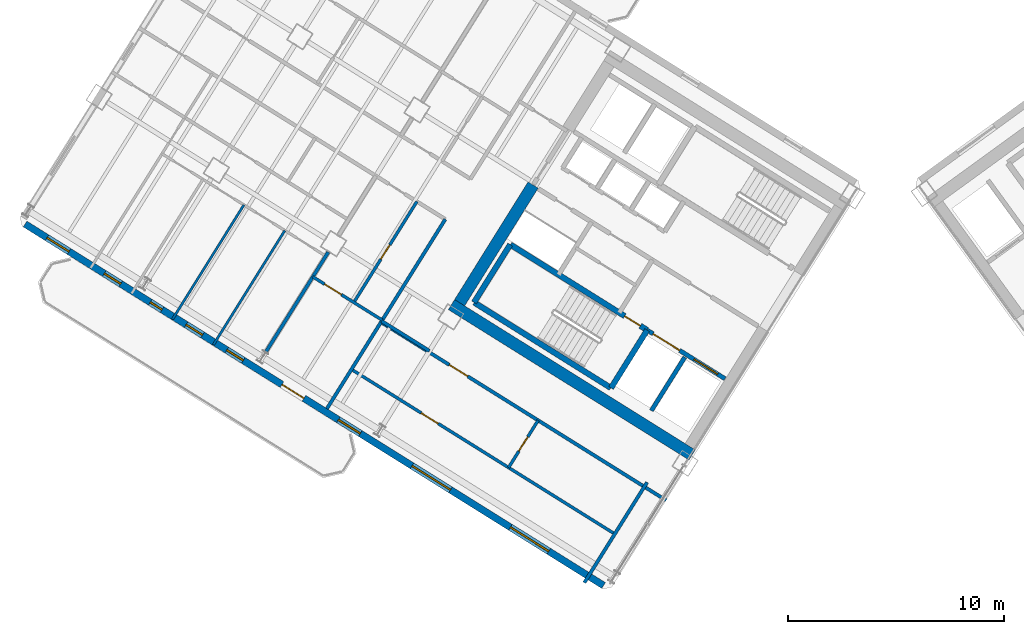
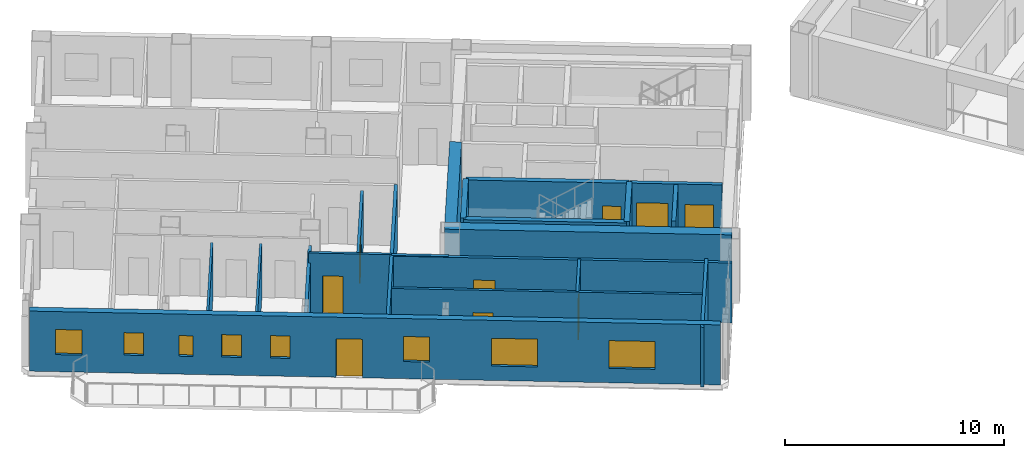
# One storey, part 10 of 18: 20 walls, 9 doors, 8 windows, 17 openings.
"""IFC4 building model written with IfcOpenShell, lengths in metres."""

from ifc_helpers import new_model, si_unit, direction, frame, frame_2d, origin, place, context, subcontext, project, spatial, rectangle, extrude, source, transform, mapped, material, layer, layer_set, type_object, element, fill, save


model = new_model("IFC4")

# Units and contexts
model_context = context("Model", 3, precision=1e-05, world=origin(), true_north=direction((0.0, 1.0)))
body_context = subcontext(model_context, "Body", "Model", "MODEL_VIEW")
ifc_project = project(units=[si_unit("LENGTHUNIT", "METRE"), si_unit("AREAUNIT", "SQUARE_METRE"), si_unit("VOLUMEUNIT", "CUBIC_METRE"), si_unit("PLANEANGLEUNIT", "RADIAN"), si_unit("MASSUNIT", "GRAM", prefix="KILO")], contexts=[model_context])

# Site, building, storey
site_placement = place(None, origin())
site = spatial("IfcSite", under=ifc_project, at=site_placement, CompositionType="ELEMENT")
building_placement = place(site_placement, origin())
building = spatial("IfcBuilding", under=site, at=building_placement, Name="Tlacorven Tower", CompositionType="ELEMENT")
storey_placement = place(building_placement, frame((0.0, 0.0, 140.699951171875)))
storey = spatial("IfcBuildingStorey", under=building, at=storey_placement, Name="L35", CompositionType="ELEMENT", Elevation=140.699951171875)

# Walls
ifc_material_1 = material(Name="Concrete C60/75", Category="concrete")
ifc_layer_1 = layer(ifc_material_1, 0.550048828125)
ifc_layer_set_1 = layer_set([ifc_layer_1], Name="Concrete C60/75")
wall_type_1 = type_object("IfcWallType", Name="WL-COR-550", PredefinedType="SHEAR", material=ifc_layer_set_1)
wall_1_placement = place(storey_placement, frame((33.3662109375, 12.4765625, 0.0), z_axis=(0.0, 0.0, 1.0), x_axis=(-0.848047359947, 0.529920442413, 0.0)))
element("IfcWall", 1, at=wall_1_placement, inside=storey, type_object=wall_type_1, Name="L35 W core shear wall S2", PredefinedType="SHEAR", context=body_context, shape_type="SweptSolid", body=[
    extrude(rectangle(XDim=13.139892578125, YDim=0.550048828125, at=frame_2d((6.56982421875, 0.0))), origin(), (0.0, 0.0, 1.0), 3.35009765625),
])
wall_2_placement = place(storey_placement, frame((26.006591796875, 24.975830078125, 0.0), z_axis=(0.0, 0.0, 1.0), x_axis=(-0.529923795287, -0.848045264823, 0.0)))
element("IfcWall", 2, at=wall_2_placement, inside=storey, type_object=wall_type_1, Name="L35 W core end wall E2.2", PredefinedType="SHEAR", context=body_context, shape_type="SweptSolid", body=[
    extrude(rectangle(XDim=6.425048828125, YDim=0.550048828125, at=frame_2d((3.21240234375, 0.0))), origin(), (0.0, 0.0, 1.0), 3.35009765625),
])
ifc_material_2 = material(Name="Gypsum plasterboard acoustic partition", Category="gypsum")
ifc_layer_2 = layer(ifc_material_2, 0.159912109375)
ifc_layer_set_2 = layer_set([ifc_layer_2], Name="Gypsum plasterboard acoustic partition")
wall_type_2 = type_object("IfcWallType", Name="WL-DEM-160", PredefinedType="PARTITIONING", material=ifc_layer_set_2)
wall_3_placement = place(storey_placement, frame((21.20556640625, 17.29248046875, 0.0), z_axis=(0.0, 0.0, 1.0), x_axis=(-0.848050851465, 0.529914854792, 0.0)))
element("IfcWall", 3, at=wall_3_placement, inside=storey, type_object=wall_type_2, Name="L35 partition 47", PredefinedType="PARTITIONING", context=body_context, shape_type="SweptSolid", body=[
    extrude(rectangle(XDim=2.60986328125, YDim=0.159912109375, at=frame_2d((1.304931640625, 0.0))), origin(), (0.0, 0.0, 1.0), 3.340087890625),
])
wall_4_placement = place(storey_placement, frame((21.9384765625, 23.390625, 0.0), z_axis=(0.0, 0.0, 1.0), x_axis=(-0.529924725692, -0.848044683434, 0.0)))
element("IfcWall", 4, at=wall_4_placement, inside=storey, type_object=wall_type_2, Name="L35 partition 49", PredefinedType="PARTITIONING", context=body_context, shape_type="SweptSolid", body=[
    extrude(rectangle(XDim=10.349853515625, YDim=0.159912109375, at=frame_2d((5.1748046875, 0.0))), origin(), (0.0, 0.0, 1.0), 3.340087890625),
])
wall_5_placement = place(storey_placement, frame((16.518798828125, 21.86962890625, 0.0), z_axis=(0.0, 0.0, 1.0), x_axis=(-0.529922447305, -0.848046107144, 0.0)))
element("IfcWall", 5, at=wall_5_placement, inside=storey, type_object=wall_type_2, Name="L35 WN Demising Wall 1", PredefinedType="PARTITIONING", context=body_context, shape_type="SweptSolid", body=[
    extrude(rectangle(XDim=5.451171875, YDim=0.159912109375, at=frame_2d((2.7255859375, 0.0))), origin(), (0.0, 0.0, 1.0), 2.775146484375),
])

# Wall, opening, door
wall_6_placement = place(storey_placement, frame((32.164306640625, 10.373779296875, 0.0), z_axis=(0.0, 0.0, 1.0), x_axis=(-0.848044107957, 0.529925646633, 0.0)))
wall_6 = element("IfcWall", 6, at=wall_6_placement, inside=storey, type_object=wall_type_2, Name="L35 partition 71", PredefinedType="PARTITIONING", context=body_context, shape_type="SweptSolid", body=[
    extrude(rectangle(XDim=15.570068359375, YDim=0.159912109375, at=frame_2d((7.78515625, 0.0))), origin(), (0.0, 0.0, 1.0), 3.340087890625),
])
opening_1_placement = place(wall_6_placement, frame((10.830078125, 0.0, 0.0)))
opening_1 = element("IfcOpeningElement", 7, at=opening_1_placement, cuts=wall_6, Name="Opening D11", PredefinedType="OPENING", context=body_context, shape_type="SweptSolid", body=[
    extrude(rectangle(XDim=1.0, YDim=2.10009765625, at=frame_2d((0.5, 1.050048828125))), frame((0.0, 0.08984375, 0.0), z_axis=(0.0, -1.0, 0.0), x_axis=(1.0, 0.0, 0.0)), (0.0, 0.0, 1.0), 0.179931640625),
])
ifc_material_3 = material(Name="Fire-rated steel door assembly", Category="steel")
door_type_1 = type_object("IfcDoorType", Name="DR-FLT-FD60-1000", OperationType="NOTDEFINED", PredefinedType="DOOR", material=ifc_material_3)
shared_shape_1 = source(origin(), body_context, "Body", "SweptSolid", [
    extrude(rectangle(XDim=1.0, YDim=2.10009765625, at=frame_2d((0.5, 1.050048828125))), frame((0.0, 0.02490234375, 0.0), z_axis=(0.0, -1.0, 0.0), x_axis=(1.0, 0.0, 0.0)), (0.0, 0.0, 1.0), 0.050048828125),
])
door_1_placement = place(opening_1_placement, origin())
door_1 = element("IfcDoor", 8, at=door_1_placement, inside=storey, type_object=door_type_1, Name="L35 door 045", OperationType="SINGLE_SWING_LEFT", OverallHeight=2.10009765625, OverallWidth=1.0, PredefinedType="DOOR", context=body_context, shape_type="MappedRepresentation", body=[
    mapped(shared_shape_1, transform((0.0, 0.0, 0.0), scale=1.0)),
])
fill(opening_1, door_1)

# Wall
wall_7_placement = place(storey_placement, frame((31.282470703125, 11.2080078125, 0.0), z_axis=(0.0, 0.0, 1.0), x_axis=(-0.529938869374, -0.84803584519, 0.0)))
element("IfcWall", 9, at=wall_7_placement, inside=storey, type_object=wall_type_2, Name="L35 WC West Throat Wall", PredefinedType="PARTITIONING", context=body_context, shape_type="SweptSolid", body=[
    extrude(rectangle(XDim=5.47998046875, YDim=0.159912109375, at=frame_2d((2.739990234375, 0.0))), origin(), (0.0, 0.0, 1.0), 3.340087890625),
])

# Wall, openings, door, windows
ifc_material_4 = material(Name="Precast concrete C45/55", Category="concrete")
ifc_layer_3 = layer(ifc_material_4, 0.320068359375)
ifc_layer_set_3 = layer_set([ifc_layer_3], Name="Precast concrete C45/55")
wall_type_3 = type_object("IfcWallType", Name="WL-EXT-320", PredefinedType="STANDARD", material=ifc_layer_set_3)
wall_8_placement = place(storey_placement, frame((29.267822265625, 6.429443359375, 0.0), z_axis=(0.0, 0.0, 1.0), x_axis=(-0.848049971435, 0.529916263149, 0.0)))
wall_8 = element("IfcWall", 10, at=wall_8_placement, inside=storey, type_object=wall_type_3, Name="L35 Masonry-Frame Recessed Facade Wall 1", PredefinedType="STANDARD", context=body_context, shape_type="SweptSolid", body=[
    extrude(rectangle(XDim=31.587646484375, YDim=0.320068359375, at=frame_2d((15.7939453125, 0.0))), origin(), (0.0, 0.0, 1.0), 3.35009765625),
])
opening_2_placement = place(wall_8_placement, frame((16.36181640625, 0.0, 0.0)))
opening_2 = element("IfcOpeningElement", 11, at=opening_2_placement, cuts=wall_8, Name="Opening D05", PredefinedType="OPENING", context=body_context, shape_type="SweptSolid", body=[
    extrude(rectangle(XDim=1.199951171875, YDim=2.14990234375, at=frame_2d((0.60009765625, 1.074951171875))), frame((0.0, 0.169921875, 0.0), z_axis=(0.0, -1.0, 0.0), x_axis=(1.0, 0.0, 0.0)), (0.0, 0.0, 1.0), 0.340087890625),
])
opening_3_placement = place(wall_8_placement, frame((2.98876953125, 0.0, 0.800048828125)))
opening_3 = element("IfcOpeningElement", 12, at=opening_3_placement, cuts=wall_8, Name="Opening WN04", PredefinedType="OPENING", context=body_context, shape_type="SweptSolid", body=[
    extrude(rectangle(XDim=2.10009765625, YDim=1.550048828125, at=frame_2d((1.050048828125, 0.77490234375))), frame((0.0, 0.169921875, 0.0), z_axis=(0.0, -1.0, 0.0), x_axis=(1.0, 0.0, 0.0)), (0.0, 0.0, 1.0), 0.340087890625),
])
opening_4_placement = place(wall_8_placement, frame((8.358642578125, 0.0, 0.800048828125)))
opening_4 = element("IfcOpeningElement", 13, at=opening_4_placement, cuts=wall_8, Name="Opening WN04", PredefinedType="OPENING", context=body_context, shape_type="SweptSolid", body=[
    extrude(rectangle(XDim=2.10009765625, YDim=1.550048828125, at=frame_2d((1.050048828125, 0.77490234375))), frame((0.0, 0.169921875, 0.0), z_axis=(0.0, -1.0, 0.0), x_axis=(1.0, 0.0, 0.0)), (0.0, 0.0, 1.0), 0.340087890625),
])
opening_5_placement = place(wall_8_placement, frame((13.28369140625, 0.0, 0.949951171875)))
opening_5 = element("IfcOpeningElement", 14, at=opening_5_placement, cuts=wall_8, Name="Opening WN03", PredefinedType="OPENING", context=body_context, shape_type="SweptSolid", body=[
    extrude(rectangle(XDim=1.199951171875, YDim=1.39990234375, at=frame_2d((0.60009765625, 0.699951171875))), frame((0.0, 0.169921875, 0.0), z_axis=(0.0, -1.0, 0.0), x_axis=(1.0, 0.0, 0.0)), (0.0, 0.0, 1.0), 0.340087890625),
])
opening_6_placement = place(wall_8_placement, frame((29.18798828125, 0.0, 0.949951171875)))
opening_6 = element("IfcOpeningElement", 15, at=opening_6_placement, cuts=wall_8, Name="Opening WN03", PredefinedType="OPENING", context=body_context, shape_type="SweptSolid", body=[
    extrude(rectangle(XDim=1.199951171875, YDim=1.39990234375, at=frame_2d((0.60009765625, 0.699951171875))), frame((0.0, 0.169921875, 0.0), z_axis=(0.0, -1.0, 0.0), x_axis=(1.0, 0.0, 0.0)), (0.0, 0.0, 1.0), 0.340087890625),
])
opening_7_placement = place(wall_8_placement, frame((19.673583984375, 0.0, 1.0)))
opening_7 = element("IfcOpeningElement", 16, at=opening_7_placement, cuts=wall_8, Name="Opening WN05", PredefinedType="OPENING", context=body_context, shape_type="SweptSolid", body=[
    extrude(rectangle(XDim=0.89990234375, YDim=1.25, at=frame_2d((0.449951171875, 0.625))), frame((0.0, 0.169921875, 0.0), z_axis=(0.0, -1.0, 0.0), x_axis=(1.0, 0.0, 0.0)), (0.0, 0.0, 1.0), 0.340087890625),
])
opening_8_placement = place(wall_8_placement, frame((21.896240234375, 0.0, 1.0)))
opening_8 = element("IfcOpeningElement", 17, at=opening_8_placement, cuts=wall_8, Name="Opening WN05", PredefinedType="OPENING", context=body_context, shape_type="SweptSolid", body=[
    extrude(rectangle(XDim=0.89990234375, YDim=1.25, at=frame_2d((0.449951171875, 0.625))), frame((0.0, 0.169921875, 0.0), z_axis=(0.0, -1.0, 0.0), x_axis=(1.0, 0.0, 0.0)), (0.0, 0.0, 1.0), 0.340087890625),
])
opening_9_placement = place(wall_8_placement, frame((24.106201171875, 0.0, 1.0)))
opening_9 = element("IfcOpeningElement", 18, at=opening_9_placement, cuts=wall_8, Name="Opening WN21", PredefinedType="OPENING", context=body_context, shape_type="SweptSolid", body=[
    extrude(rectangle(XDim=0.64990234375, YDim=1.14990234375, at=frame_2d((0.324951171875, 0.574951171875))), frame((0.0, 0.169921875, 0.0), z_axis=(0.0, -1.0, 0.0), x_axis=(1.0, 0.0, 0.0)), (0.0, 0.0, 1.0), 0.340087890625),
])
opening_10_placement = place(wall_8_placement, frame((26.3662109375, 0.0, 1.0)))
opening_10 = element("IfcOpeningElement", 19, at=opening_10_placement, cuts=wall_8, Name="Opening WN05", PredefinedType="OPENING", context=body_context, shape_type="SweptSolid", body=[
    extrude(rectangle(XDim=0.89990234375, YDim=1.25, at=frame_2d((0.449951171875, 0.625))), frame((0.0, 0.169921875, 0.0), z_axis=(0.0, -1.0, 0.0), x_axis=(1.0, 0.0, 0.0)), (0.0, 0.0, 1.0), 0.340087890625),
])
ifc_material_5 = material(Name="Powder-coated aluminium and timber door", Category="wood")
door_type_2 = type_object("IfcDoorType", Name="DR-EXT-BALC-1200", OperationType="NOTDEFINED", PredefinedType="DOOR", material=ifc_material_5)
shared_shape_2 = source(origin(), body_context, "Body", "SweptSolid", [
    extrude(rectangle(XDim=1.199951171875, YDim=2.14990234375, at=frame_2d((0.60009765625, 1.074951171875))), frame((0.0, 0.02490234375, 0.0), z_axis=(0.0, -1.0, 0.0), x_axis=(1.0, 0.0, 0.0)), (0.0, 0.0, 1.0), 0.050048828125),
])
door_2_placement = place(opening_2_placement, origin())
door_2 = element("IfcDoor", 20, at=door_2_placement, inside=storey, type_object=door_type_2, Name="L35 Outdoor Access Door BAL-L35-W-OUT", OperationType="SINGLE_SWING_LEFT", OverallHeight=2.14990234375, OverallWidth=1.199951171875, PredefinedType="DOOR", context=body_context, shape_type="MappedRepresentation", body=[
    mapped(shared_shape_2, transform((0.0, 0.0, 0.0), scale=1.0)),
])
fill(opening_2, door_2)
ifc_material_6 = material(Name="Dark solar low-E double glazing in anodised aluminium frame", Category="aluminium")
window_type_1 = type_object("IfcWindowType", Name="WN-APT-2100X1750", PartitioningType="SINGLE_PANEL", PredefinedType="WINDOW", material=ifc_material_6)
shared_shape_3 = source(origin(), body_context, "Body", "SweptSolid", [
    extrude(rectangle(XDim=2.10009765625, YDim=1.550048828125, at=frame_2d((1.050048828125, 0.77490234375))), frame((0.0, 0.030029296875, 0.0), z_axis=(0.0, -1.0, 0.0), x_axis=(1.0, 0.0, 0.0)), (0.0, 0.0, 1.0), 0.06005859375),
])
window_1_placement = place(opening_3_placement, origin())
window_1 = element("IfcWindow", 21, at=window_1_placement, inside=storey, type_object=window_type_1, Name="L35 Recessed Masonry-Frame Window L35-01.1", OverallHeight=1.550048828125, OverallWidth=2.10009765625, PartitioningType="SINGLE_PANEL", PredefinedType="WINDOW", context=body_context, shape_type="MappedRepresentation", body=[
    mapped(shared_shape_3, transform((0.0, 0.0, 0.0), scale=1.0)),
])
fill(opening_3, window_1)
window_2_placement = place(opening_4_placement, origin())
window_2 = element("IfcWindow", 22, at=window_2_placement, inside=storey, type_object=window_type_1, Name="L35 Recessed Masonry-Frame Window L35-01.2", OverallHeight=1.550048828125, OverallWidth=2.10009765625, PartitioningType="SINGLE_PANEL", PredefinedType="WINDOW", context=body_context, shape_type="MappedRepresentation", body=[
    mapped(shared_shape_3, transform((0.0, 0.0, 0.0), scale=1.0)),
])
fill(opening_4, window_2)
window_type_2 = type_object("IfcWindowType", Name="WN-APT-1200X1500", PartitioningType="SINGLE_PANEL", PredefinedType="WINDOW", material=ifc_material_6)
shared_shape_4 = source(origin(), body_context, "Body", "SweptSolid", [
    extrude(rectangle(XDim=1.199951171875, YDim=1.39990234375, at=frame_2d((0.60009765625, 0.699951171875))), frame((0.0, 0.030029296875, 0.0), z_axis=(0.0, -1.0, 0.0), x_axis=(1.0, 0.0, 0.0)), (0.0, 0.0, 1.0), 0.06005859375),
])
window_3_placement = place(opening_5_placement, origin())
window_3 = element("IfcWindow", 23, at=window_3_placement, inside=storey, type_object=window_type_2, Name="L35 Recessed Masonry-Frame Window L35-01.3", OverallHeight=1.39990234375, OverallWidth=1.199951171875, PartitioningType="SINGLE_PANEL", PredefinedType="WINDOW", context=body_context, shape_type="MappedRepresentation", body=[
    mapped(shared_shape_4, transform((0.0, 0.0, 0.0), scale=1.0)),
])
fill(opening_5, window_3)
window_4_placement = place(opening_6_placement, origin())
window_4 = element("IfcWindow", 24, at=window_4_placement, inside=storey, type_object=window_type_2, Name="L35 Recessed Masonry-Frame Window L35-01.4", OverallHeight=1.39990234375, OverallWidth=1.199951171875, PartitioningType="SINGLE_PANEL", PredefinedType="WINDOW", context=body_context, shape_type="MappedRepresentation", body=[
    mapped(shared_shape_4, transform((0.0, 0.0, 0.0), scale=1.0)),
])
fill(opening_6, window_4)
window_type_3 = type_object("IfcWindowType", Name="WN-APT-0900X1350", PartitioningType="SINGLE_PANEL", PredefinedType="WINDOW", material=ifc_material_6)
shared_shape_5 = source(origin(), body_context, "Body", "SweptSolid", [
    extrude(rectangle(XDim=0.89990234375, YDim=1.25, at=frame_2d((0.449951171875, 0.625))), frame((0.0, 0.030029296875, 0.0), z_axis=(0.0, -1.0, 0.0), x_axis=(1.0, 0.0, 0.0)), (0.0, 0.0, 1.0), 0.06005859375),
])
window_5_placement = place(opening_7_placement, origin())
window_5 = element("IfcWindow", 25, at=window_5_placement, inside=storey, type_object=window_type_3, Name="L35 Dwelling Daylight Window L35-U02-BD1", OverallHeight=1.25, OverallWidth=0.89990234375, PartitioningType="SINGLE_PANEL", PredefinedType="WINDOW", context=body_context, shape_type="MappedRepresentation", body=[
    mapped(shared_shape_5, transform((0.0, 0.0, 0.0), scale=1.0)),
])
fill(opening_7, window_5)
window_6_placement = place(opening_8_placement, origin())
window_6 = element("IfcWindow", 26, at=window_6_placement, inside=storey, type_object=window_type_3, Name="L35 Dwelling Daylight Window L35-U02-BD2", OverallHeight=1.25, OverallWidth=0.89990234375, PartitioningType="SINGLE_PANEL", PredefinedType="WINDOW", context=body_context, shape_type="MappedRepresentation", body=[
    mapped(shared_shape_5, transform((0.0, 0.0, 0.0), scale=1.0)),
])
fill(opening_8, window_6)
window_7_placement = place(opening_10_placement, origin())
window_7 = element("IfcWindow", 27, at=window_7_placement, inside=storey, type_object=window_type_3, Name="L35 Dwelling Daylight Window L35-U02-BD4", OverallHeight=1.25, OverallWidth=0.89990234375, PartitioningType="SINGLE_PANEL", PredefinedType="WINDOW", context=body_context, shape_type="MappedRepresentation", body=[
    mapped(shared_shape_5, transform((0.0, 0.0, 0.0), scale=1.0)),
])
fill(opening_10, window_7)
window_type_4 = type_object("IfcWindowType", Name="WN-APT-0650X1150", PartitioningType="SINGLE_PANEL", PredefinedType="WINDOW", material=ifc_material_6)
shared_shape_6 = source(origin(), body_context, "Body", "SweptSolid", [
    extrude(rectangle(XDim=0.64990234375, YDim=1.14990234375, at=frame_2d((0.324951171875, 0.574951171875))), frame((0.0, 0.030029296875, 0.0), z_axis=(0.0, -1.0, 0.0), x_axis=(1.0, 0.0, 0.0)), (0.0, 0.0, 1.0), 0.06005859375),
])
window_8_placement = place(opening_9_placement, origin())
window_8 = element("IfcWindow", 28, at=window_8_placement, inside=storey, type_object=window_type_4, Name="L35 Dwelling Daylight Window L35-U02-BD3", OverallHeight=1.14990234375, OverallWidth=0.64990234375, PartitioningType="SINGLE_PANEL", PredefinedType="WINDOW", context=body_context, shape_type="MappedRepresentation", body=[
    mapped(shared_shape_6, transform((0.0, 0.0, 0.0), scale=1.0)),
])
fill(opening_9, window_8)

# Walls
ifc_material_7 = material(Name="Gypsum plasterboard partition", Category="gypsum")
ifc_layer_4 = layer(ifc_material_7, 0.110107421875)
ifc_layer_set_4 = layer_set([ifc_layer_4], Name="Gypsum plasterboard partition")
wall_type_4 = type_object("IfcWallType", Name="WL-INT-110", PredefinedType="PARTITIONING", material=ifc_layer_set_4)
for number, where, z_axis, x_axis, name in (
    (29, (14.5078125, 22.869140625, 0.0), (0.0, 0.0, 1.0), (-0.529900466106, -0.848059842241, 0.0), "L35 partition 62"),
    (30, (12.612548828125, 24.053466796875, 0.0), (0.0, 0.0, 1.0), (-0.529900466106, -0.848059842241, 0.0), "L35 partition 63"),
):
    element("IfcWall", number, at=place(storey_placement, frame(where, z_axis=z_axis, x_axis=x_axis)), inside=storey, type_object=wall_type_4, Name=name, PredefinedType="PARTITIONING", context=body_context, shape_type="SweptSolid", body=[
        extrude(rectangle(XDim=6.240234375, YDim=0.110107421875, at=frame_2d((3.1201171875, 0.0))), origin(), (0.0, 0.0, 1.0), 2.9951171875),
    ])

# Wall, opening, door
ifc_material_8 = material(Name="Moisture-resistant gypsum plumbing wall", Category="gypsum")
ifc_layer_5 = layer(ifc_material_8, 0.139892578125)
ifc_layer_set_5 = layer_set([ifc_layer_5], Name="Moisture-resistant gypsum plumbing wall")
wall_type_5 = type_object("IfcWallType", Name="WL-PLM-140", PredefinedType="PLUMBINGWALL", material=ifc_layer_set_5)
wall_9_placement = place(storey_placement, frame((19.0185546875, 18.718017578125, 0.0), z_axis=(0.0, 0.0, 1.0), x_axis=(-0.848059820872, 0.529900500304, 0.0)))
wall_9 = element("IfcWall", 31, at=wall_9_placement, inside=storey, type_object=wall_type_5, Name="L35 partition 54", PredefinedType="PLUMBINGWALL", context=body_context, shape_type="SweptSolid", body=[
    extrude(rectangle(XDim=3.7900390625, YDim=0.139892578125, at=frame_2d((1.89501953125, 0.0))), origin(), (0.0, 0.0, 1.0), 3.340087890625),
])
opening_11_placement = place(wall_9_placement, frame((2.22998046875, 0.0, 0.0)))
opening_11 = element("IfcOpeningElement", 32, at=opening_11_placement, cuts=wall_9, Name="Opening D12", PredefinedType="OPENING", context=body_context, shape_type="SweptSolid", body=[
    extrude(rectangle(XDim=0.919921875, YDim=2.080078125, at=frame_2d((0.4599609375, 1.0400390625))), frame((0.0, 0.080078125, 0.0), z_axis=(0.0, -1.0, 0.0), x_axis=(1.0, 0.0, 0.0)), (0.0, 0.0, 1.0), 0.159912109375),
])
door_type_3 = type_object("IfcDoorType", Name="DR-INT-ROOM-0920", OperationType="NOTDEFINED", PredefinedType="DOOR", material=ifc_material_5)
shared_shape_7 = source(origin(), body_context, "Body", "SweptSolid", [
    extrude(rectangle(XDim=0.919921875, YDim=2.080078125, at=frame_2d((0.4599609375, 1.0400390625))), frame((0.0, 0.02490234375, 0.0), z_axis=(0.0, -1.0, 0.0), x_axis=(1.0, 0.0, 0.0)), (0.0, 0.0, 1.0), 0.050048828125),
])
door_3_placement = place(opening_11_placement, origin())
door_3 = element("IfcDoor", 33, at=door_3_placement, inside=storey, type_object=door_type_3, Name="L35 door 026", OperationType="SINGLE_SWING_RIGHT", OverallHeight=2.080078125, OverallWidth=0.919921875, PredefinedType="DOOR", context=body_context, shape_type="MappedRepresentation", body=[
    mapped(shared_shape_7, transform((0.0, 0.0, 0.0), scale=1.0)),
])
fill(opening_11, door_3)

wall_10_placement = place(storey_placement, frame((20.6240234375, 24.212158203125, 0.0), z_axis=(0.0, 0.0, 1.0), x_axis=(-0.529919283494, -0.848048084121, 0.0)))
wall_10 = element("IfcWall", 34, at=wall_10_placement, inside=storey, type_object=wall_type_5, Name="L35 partition 55", PredefinedType="PLUMBINGWALL", context=body_context, shape_type="SweptSolid", body=[
    extrude(rectangle(XDim=5.510009765625, YDim=0.139892578125, at=frame_2d((2.7548828125, 0.0))), origin(), (0.0, 0.0, 1.0), 2.9951171875),
])
opening_12_placement = place(wall_10_placement, frame((2.364990234375, 0.0, 0.0)))
opening_12 = element("IfcOpeningElement", 35, at=opening_12_placement, cuts=wall_10, Name="Opening D22", PredefinedType="OPENING", context=body_context, shape_type="SweptSolid", body=[
    extrude(rectangle(XDim=0.780029296875, YDim=2.050048828125, at=frame_2d((0.39013671875, 1.02490234375))), frame((0.0, 0.080078125, 0.0), z_axis=(0.0, -1.0, 0.0), x_axis=(1.0, 0.0, 0.0)), (0.0, 0.0, 1.0), 0.159912109375),
])
door_type_4 = type_object("IfcDoorType", Name="DR-INT-WET-0780", OperationType="NOTDEFINED", PredefinedType="DOOR", material=ifc_material_5)
shared_shape_8 = source(origin(), body_context, "Body", "SweptSolid", [
    extrude(rectangle(XDim=0.780029296875, YDim=2.050048828125, at=frame_2d((0.39013671875, 1.02490234375))), frame((0.0, 0.02490234375, 0.0), z_axis=(0.0, -1.0, 0.0), x_axis=(1.0, 0.0, 0.0)), (0.0, 0.0, 1.0), 0.050048828125),
])
door_4_placement = place(opening_12_placement, origin())
door_4 = element("IfcDoor", 36, at=door_4_placement, inside=storey, type_object=door_type_4, Name="L35 door 027", OperationType="SINGLE_SWING_LEFT", OverallHeight=2.050048828125, OverallWidth=0.780029296875, PredefinedType="DOOR", context=body_context, shape_type="MappedRepresentation", body=[
    mapped(shared_shape_8, transform((0.0, 0.0, 0.0), scale=1.0)),
])
fill(opening_12, door_4)

wall_11_placement = place(storey_placement, frame((29.72021484375, 8.85888671875, 0.0), z_axis=(0.0, 0.0, 1.0), x_axis=(-0.848049134363, 0.529917602752, 0.0)))
wall_11 = element("IfcWall", 37, at=wall_11_placement, inside=storey, type_object=wall_type_5, Name="L35 partition 73", PredefinedType="PLUMBINGWALL", context=body_context, shape_type="SweptSolid", body=[
    extrude(rectangle(XDim=14.300048828125, YDim=0.139892578125, at=frame_2d((7.14990234375, 0.0))), origin(), (0.0, 0.0, 1.0), 3.340087890625),
])
opening_13_placement = place(wall_11_placement, frame((9.570068359375, 0.0, 0.0)))
opening_13 = element("IfcOpeningElement", 38, at=opening_13_placement, cuts=wall_11, Name="Opening D12", PredefinedType="OPENING", context=body_context, shape_type="SweptSolid", body=[
    extrude(rectangle(XDim=0.919921875, YDim=2.080078125, at=frame_2d((0.4599609375, 1.0400390625))), frame((0.0, 0.080078125, 0.0), z_axis=(0.0, -1.0, 0.0), x_axis=(1.0, 0.0, 0.0)), (0.0, 0.0, 1.0), 0.159912109375),
])
door_5_placement = place(opening_13_placement, origin())
door_5 = element("IfcDoor", 39, at=door_5_placement, inside=storey, type_object=door_type_3, Name="L35 door 046", OperationType="SINGLE_SWING_RIGHT", OverallHeight=2.080078125, OverallWidth=0.919921875, PredefinedType="DOOR", context=body_context, shape_type="MappedRepresentation", body=[
    mapped(shared_shape_7, transform((0.0, 0.0, 0.0), scale=1.0)),
])
fill(opening_13, door_5)

wall_12_placement = place(storey_placement, frame((26.236572265625, 14.077880859375, 0.0), z_axis=(0.0, 0.0, 1.0), x_axis=(-0.52995640672, -0.848024885824, 0.0)))
wall_12 = element("IfcWall", 40, at=wall_12_placement, inside=storey, type_object=wall_type_5, Name="L35 partition 74", PredefinedType="PLUMBINGWALL", context=body_context, shape_type="SweptSolid", body=[
    extrude(rectangle(XDim=2.579833984375, YDim=0.139892578125, at=frame_2d((1.2900390625, 0.0))), origin(), (0.0, 0.0, 1.0), 3.340087890625),
])
opening_14_placement = place(wall_12_placement, frame((0.89990234375, 0.0, 0.0)))
opening_14 = element("IfcOpeningElement", 41, at=opening_14_placement, cuts=wall_12, Name="Opening D22", PredefinedType="OPENING", context=body_context, shape_type="SweptSolid", body=[
    extrude(rectangle(XDim=0.780029296875, YDim=2.050048828125, at=frame_2d((0.39013671875, 1.02490234375))), frame((0.0, 0.080078125, 0.0), z_axis=(0.0, -1.0, 0.0), x_axis=(1.0, 0.0, 0.0)), (0.0, 0.0, 1.0), 0.159912109375),
])
door_6_placement = place(opening_14_placement, origin())
door_6 = element("IfcDoor", 42, at=door_6_placement, inside=storey, type_object=door_type_4, Name="L35 door 047", OperationType="SINGLE_SWING_LEFT", OverallHeight=2.050048828125, OverallWidth=0.780029296875, PredefinedType="DOOR", context=body_context, shape_type="MappedRepresentation", body=[
    mapped(shared_shape_8, transform((0.0, 0.0, 0.0), scale=1.0)),
])
fill(opening_14, door_6)

# Wall, openings, doors
ifc_material_9 = material(Name="Concrete C40/50", Category="concrete")
ifc_layer_6 = layer(ifc_material_9, 0.199951171875)
ifc_layer_set_6 = layer_set([ifc_layer_6], Name="Concrete C40/50")
wall_type_6 = type_object("IfcWallType", Name="WL-SHF-200", PredefinedType="STANDARD", material=ifc_layer_set_6)
wall_13_placement = place(storey_placement, frame((34.890625, 16.0048828125, 0.0), z_axis=(0.0, 0.0, 1.0), x_axis=(-0.848062873452, 0.529895614884, 0.0)))
wall_13 = element("IfcWall", 43, at=wall_13_placement, inside=storey, type_object=wall_type_6, Name="L35 Core W Firefighting Lift Shaft Front Wall", PredefinedType="STANDARD", context=body_context, shape_type="SweptSolid", body=[
    extrude(rectangle(XDim=4.248046875, YDim=0.199951171875, at=frame_2d((2.1240234375, 0.0))), origin(), (0.0, 0.0, 1.0), 3.340087890625),
])
opening_15_placement = place(wall_13_placement, frame((0.39794921875, 0.0, 0.0)))
opening_15 = element("IfcOpeningElement", 44, at=opening_15_placement, cuts=wall_13, Name="Opening LD03", PredefinedType="OPENING", context=body_context, shape_type="SweptSolid", body=[
    extrude(rectangle(XDim=1.300048828125, YDim=2.199951171875, at=frame_2d((0.64990234375, 1.10009765625))), frame((0.0, 0.10986328125, 0.0), z_axis=(0.0, -1.0, 0.0), x_axis=(1.0, 0.0, 0.0)), (0.0, 0.0, 1.0), 0.219970703125),
])
opening_16_placement = place(wall_13_placement, frame((2.472900390625, 0.0, 0.0)))
opening_16 = element("IfcOpeningElement", 45, at=opening_16_placement, cuts=wall_13, Name="Opening LD04", PredefinedType="OPENING", context=body_context, shape_type="SweptSolid", body=[
    extrude(rectangle(XDim=1.449951171875, YDim=2.25, at=frame_2d((0.72509765625, 1.125))), frame((0.0, 0.10986328125, 0.0), z_axis=(0.0, -1.0, 0.0), x_axis=(1.0, 0.0, 0.0)), (0.0, 0.0, 1.0), 0.219970703125),
])
door_type_5 = type_object("IfcDoorType", Name="DR-LFT-SLID-1300", OperationType="DOUBLE_DOOR_SLIDING", PredefinedType="DOOR", material=ifc_material_3)
shared_shape_9 = source(origin(), body_context, "Body", "SweptSolid", [
    extrude(rectangle(XDim=1.300048828125, YDim=2.199951171875, at=frame_2d((0.64990234375, 1.10009765625))), frame((0.0, 0.02490234375, 0.0), z_axis=(0.0, -1.0, 0.0), x_axis=(1.0, 0.0, 0.0)), (0.0, 0.0, 1.0), 0.050048828125),
])
door_7_placement = place(opening_15_placement, origin())
door_7 = element("IfcDoor", 46, at=door_7_placement, inside=storey, type_object=door_type_5, Name="L35 Lift FFL-W1 Sliding Landing Door", OperationType="DOUBLE_DOOR_SLIDING", OverallHeight=2.199951171875, OverallWidth=1.300048828125, PredefinedType="DOOR", context=body_context, shape_type="MappedRepresentation", body=[
    mapped(shared_shape_9, transform((0.0, 0.0, 0.0), scale=1.0)),
])
fill(opening_15, door_7)
door_type_6 = type_object("IfcDoorType", Name="DR-LFT-SLID-1450", OperationType="DOUBLE_DOOR_SLIDING", PredefinedType="DOOR", material=ifc_material_3)
shared_shape_10 = source(origin(), body_context, "Body", "SweptSolid", [
    extrude(rectangle(XDim=1.449951171875, YDim=2.25, at=frame_2d((0.72509765625, 1.125))), frame((0.0, 0.02490234375, 0.0), z_axis=(0.0, -1.0, 0.0), x_axis=(1.0, 0.0, 0.0)), (0.0, 0.0, 1.0), 0.050048828125),
])
door_8_placement = place(opening_16_placement, origin())
door_8 = element("IfcDoor", 47, at=door_8_placement, inside=storey, type_object=door_type_6, Name="L35 Lift SVL-W1 Sliding Landing Door", OperationType="DOUBLE_DOOR_SLIDING", OverallHeight=2.25, OverallWidth=1.449951171875, PredefinedType="DOOR", context=body_context, shape_type="MappedRepresentation", body=[
    mapped(shared_shape_10, transform((0.0, 0.0, 0.0), scale=1.0)),
])
fill(opening_16, door_8)

# Walls
wall_14_placement = place(storey_placement, frame((33.02880859375, 17.003173828125, 0.0), z_axis=(0.0, 0.0, 1.0), x_axis=(-0.529916267533, -0.848049968695, 0.0)))
element("IfcWall", 48, at=wall_14_placement, inside=storey, type_object=wall_type_6, Name="L35 partition 14", PredefinedType="STANDARD", context=body_context, shape_type="SweptSolid", body=[
    extrude(rectangle(XDim=2.919921875, YDim=0.199951171875, at=frame_2d((1.4599609375, 0.0))), origin(), (0.0, 0.0, 1.0), 3.340087890625),
])
ifc_material_10 = material(Name="Concrete C50/60", Category="concrete")
ifc_layer_7 = layer(ifc_material_10, 0.260009765625)
ifc_layer_set_7 = layer_set([ifc_layer_7], Name="Concrete C50/60")
wall_type_7 = type_object("IfcWallType", Name="WL-STW-260", PredefinedType="SHEAR", material=ifc_layer_set_7)
wall_15_placement = place(storey_placement, frame((29.60498046875, 15.581298828125, 0.0), z_axis=(0.0, 0.0, 1.0), x_axis=(-0.848036911448, 0.529937163087, 0.0)))
element("IfcWall", 49, at=wall_15_placement, inside=storey, type_object=wall_type_7, Name="L35 Stair W1 Far Shear Wall", PredefinedType="SHEAR", context=body_context, shape_type="SweptSolid", body=[
    extrude(rectangle(XDim=7.4599609375, YDim=0.260009765625, at=frame_2d((3.72998046875, 0.0))), origin(), (0.0, 0.0, 1.0), 3.35009765625),
])

# Wall, opening, door
wall_16_placement = place(storey_placement, frame((31.279541015625, 18.26123046875, 0.0), z_axis=(0.0, 0.0, 1.0), x_axis=(-0.848051618787, 0.529913626805, 0.0)))
wall_16 = element("IfcWall", 50, at=wall_16_placement, inside=storey, type_object=wall_type_7, Name="L35 Stair W1 Lobby Shear Wall", PredefinedType="SHEAR", context=body_context, shape_type="SweptSolid", body=[
    extrude(rectangle(XDim=7.4599609375, YDim=0.260009765625, at=frame_2d((3.72998046875, 0.0))), origin(), (0.0, 0.0, 1.0), 3.35009765625),
])
opening_17_placement = place(wall_16_placement, frame((0.360107421875, 0.0, 0.0)))
opening_17 = element("IfcOpeningElement", 51, at=opening_17_placement, cuts=wall_16, Name="Opening D19", PredefinedType="OPENING", context=body_context, shape_type="SweptSolid", body=[
    extrude(rectangle(XDim=0.860107421875, YDim=2.050048828125, at=frame_2d((0.43017578125, 1.02490234375))), frame((0.0, 0.14013671875, 0.0), z_axis=(0.0, -1.0, 0.0), x_axis=(1.0, 0.0, 0.0)), (0.0, 0.0, 1.0), 0.280029296875),
])
door_type_7 = type_object("IfcDoorType", Name="DR-RSR-FD60-0860", OperationType="NOTDEFINED", PredefinedType="DOOR", material=ifc_material_3)
shared_shape_11 = source(origin(), body_context, "Body", "SweptSolid", [
    extrude(rectangle(XDim=0.860107421875, YDim=2.050048828125, at=frame_2d((0.43017578125, 1.02490234375))), frame((0.0, 0.02490234375, 0.0), z_axis=(0.0, -1.0, 0.0), x_axis=(1.0, 0.0, 0.0)), (0.0, 0.0, 1.0), 0.050048828125),
])
door_9_placement = place(opening_17_placement, frame((0.860107421875, 0.0, 0.0), z_axis=(0.0, 0.0, 1.0), x_axis=(-1.0, 0.0, 0.0)))
door_9 = element("IfcDoor", 52, at=door_9_placement, inside=storey, type_object=door_type_7, Name="L35 Exit Stair W1 Fire Door", OperationType="SINGLE_SWING_LEFT", OverallHeight=2.050048828125, OverallWidth=0.860107421875, PredefinedType="DOOR", context=body_context, shape_type="MappedRepresentation", body=[
    mapped(shared_shape_11, transform((0.0, 0.0, 0.0), scale=1.0)),
])
fill(opening_17, door_9)

# Walls
wall_17_placement = place(storey_placement, frame((31.2880859375, 18.255859375, 0.0), z_axis=(0.0, 0.0, 1.0), x_axis=(-0.529943379326, -0.848033026897, 0.0)))
element("IfcWall", 53, at=wall_17_placement, inside=storey, type_object=wall_type_7, Name="L35 Stair W1 West Shear Wall", PredefinedType="SHEAR", context=body_context, shape_type="SweptSolid", body=[
    extrude(rectangle(XDim=3.159912109375, YDim=0.260009765625, at=frame_2d((1.580078125, 0.0))), origin(), (0.0, 0.0, 1.0), 3.35009765625),
])
wall_18_placement = place(storey_placement, frame((24.944580078125, 22.2197265625, 0.0), z_axis=(0.0, 0.0, 1.0), x_axis=(-0.529908658664, -0.84805472316, 0.0)))
element("IfcWall", 54, at=wall_18_placement, inside=storey, type_object=wall_type_7, Name="L35 Stair W1 East Shear Wall", PredefinedType="SHEAR", context=body_context, shape_type="SweptSolid", body=[
    extrude(rectangle(XDim=3.16015625, YDim=0.260009765625, at=frame_2d((1.580078125, 0.0))), origin(), (0.0, 0.0, 1.0), 3.35009765625),
])

save(model, "model.ifc")
